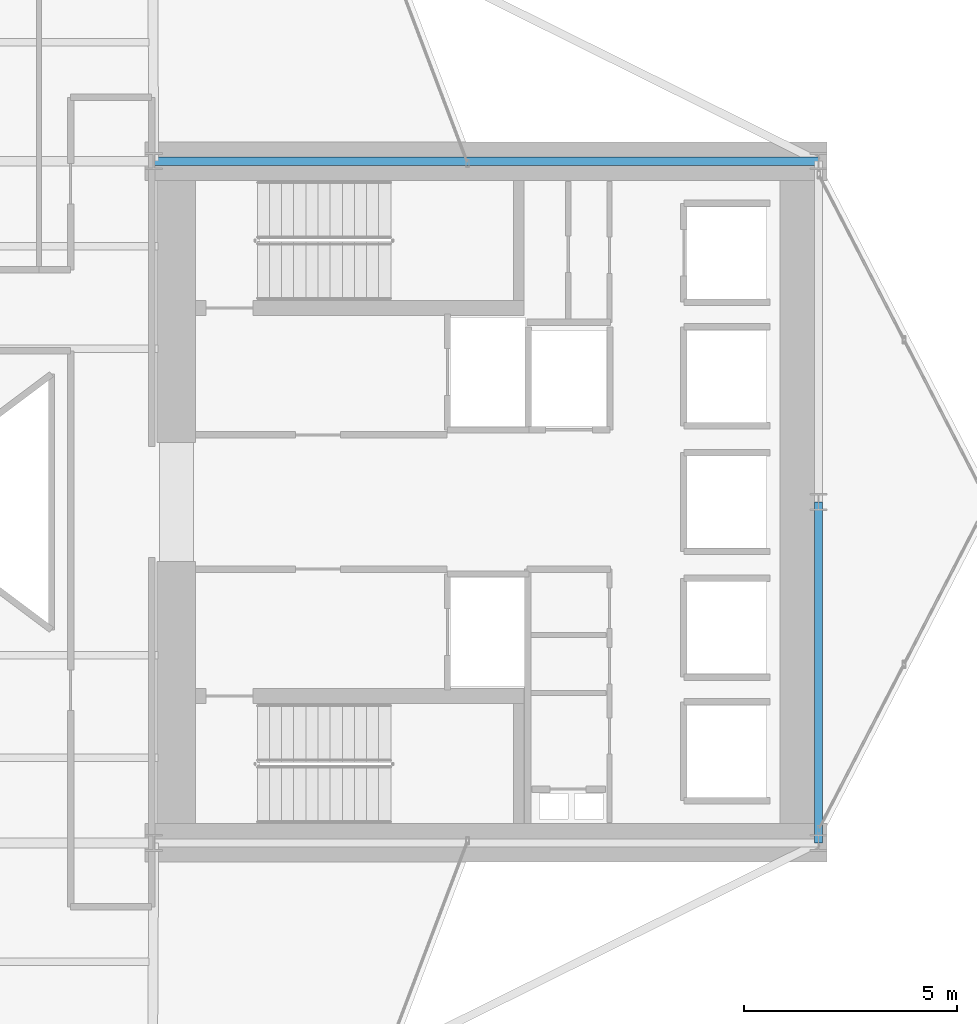
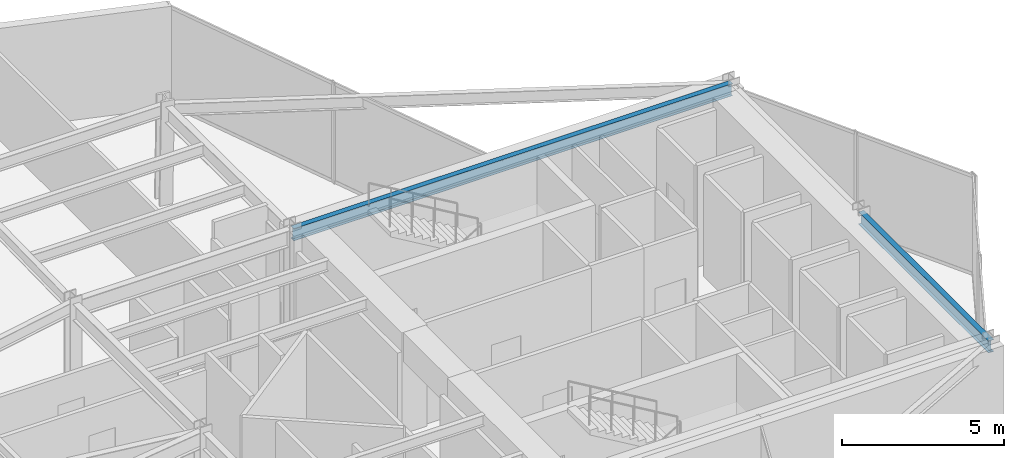
# One storey, part 17 of 28: 2 beams.
"""IFC4 building model written with IfcOpenShell, lengths in metres."""

from ifc_helpers import new_model, si_unit, direction, frame, origin, origin_2d, place, context, subcontext, project, spatial, i_section, extrude, material, material_profile, profile_set, type_object, element, save


model = new_model("IFC4")

# Units and contexts
model_context = context("Model", 3, precision=1e-05, world=origin(), true_north=direction((0.0, 1.0)))
body_context = subcontext(model_context, "Body", "Model", "MODEL_VIEW")
ifc_project = project(units=[si_unit("LENGTHUNIT", "METRE"), si_unit("AREAUNIT", "SQUARE_METRE"), si_unit("VOLUMEUNIT", "CUBIC_METRE"), si_unit("PLANEANGLEUNIT", "RADIAN"), si_unit("MASSUNIT", "GRAM", prefix="KILO")], contexts=[model_context])

# Site, building, storey
site_placement = place(None, origin())
site = spatial("IfcSite", under=ifc_project, at=site_placement, CompositionType="ELEMENT")
building_placement = place(site_placement, origin())
building = spatial("IfcBuilding", under=site, at=building_placement, Name="Veymaron Broadcast Tower", CompositionType="ELEMENT")
storey_placement = place(building_placement, frame((0.0, 0.0, 45.89990234375)))
storey = spatial("IfcBuildingStorey", under=building, at=storey_placement, Name="L09", CompositionType="ELEMENT", Elevation=45.89990234375)

# Beams
ifc_material = material(Name="Structural steel ASTM A992 Gr 50", Category="steel")
ifc_material_profile = material_profile(ifc_material, i_section(OverallWidth=0.19091796875, OverallDepth=0.4599609375, WebThickness=0.010009765625, FlangeThickness=0.01611328125, at=origin_2d()), Name="W460X82")
ifc_profile_set = profile_set([ifc_material_profile], Name="Structural steel ASTM A992 Gr 50")
beam_type = type_object("IfcBeamType", Name="BM-SP1", PredefinedType="SPANDREL", material=ifc_profile_set)
beam_1_placement = place(storey_placement, frame((39.0, 32.0, 3.580078125), z_axis=(1.0, 0.0, 0.0), x_axis=(0.0, 1.0, 0.0)))
element("IfcBeam", 1, at=beam_1_placement, inside=storey, type_object=beam_type, Name="L09 primary structural floor girder", PredefinedType="SPANDREL", context=body_context, shape_type="SweptSolid", body=[
    extrude(i_section(OverallWidth=0.19091796875, OverallDepth=0.4599609375, WebThickness=0.010009765625, FlangeThickness=0.01611328125, at=origin_2d()), origin(), (0.0, 0.0, 1.0), 15.60009765625),
])
beam_2_placement = place(storey_placement, frame((54.60009765625, 16.0, 3.580078125), z_axis=(0.0, 1.0, 0.0), x_axis=(-1.0, 0.0, 0.0)))
element("IfcBeam", 2, at=beam_2_placement, inside=storey, type_object=beam_type, Name="L09 primary structural floor girder", PredefinedType="SPANDREL", context=body_context, shape_type="SweptSolid", body=[
    extrude(i_section(OverallWidth=0.19091796875, OverallDepth=0.4599609375, WebThickness=0.010009765625, FlangeThickness=0.01611328125, at=origin_2d()), origin(), (0.0, 0.0, 1.0), 8.0),
])

save(model, "model.ifc")
